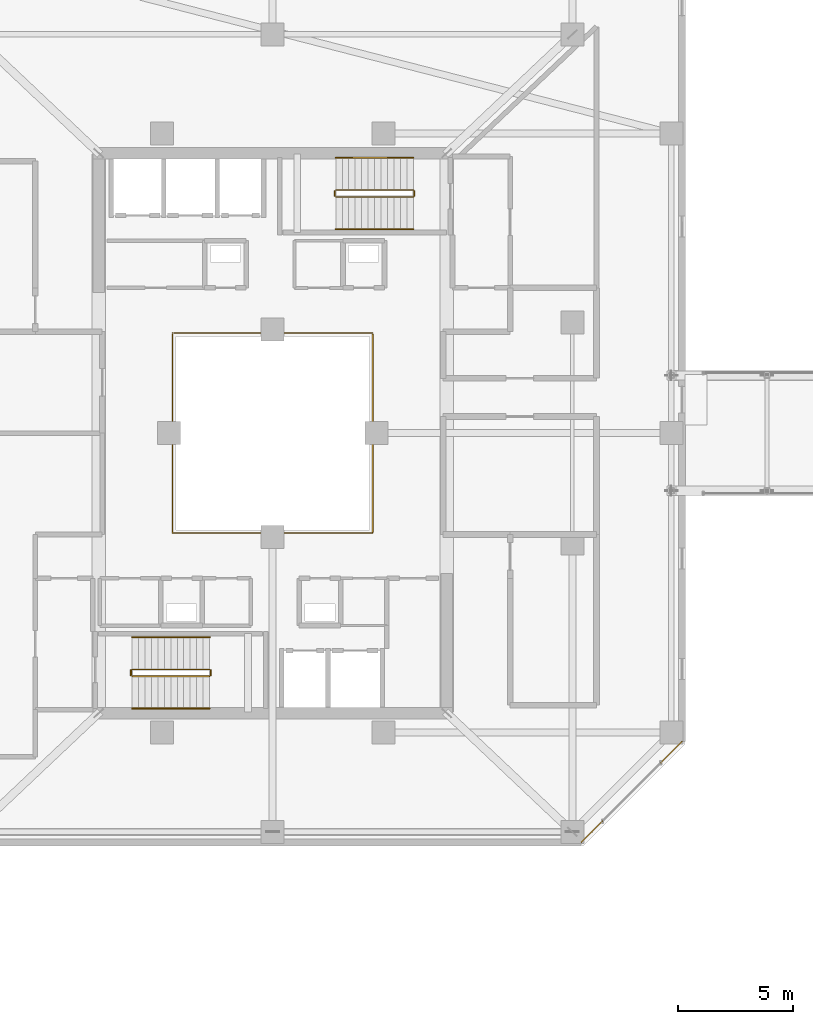
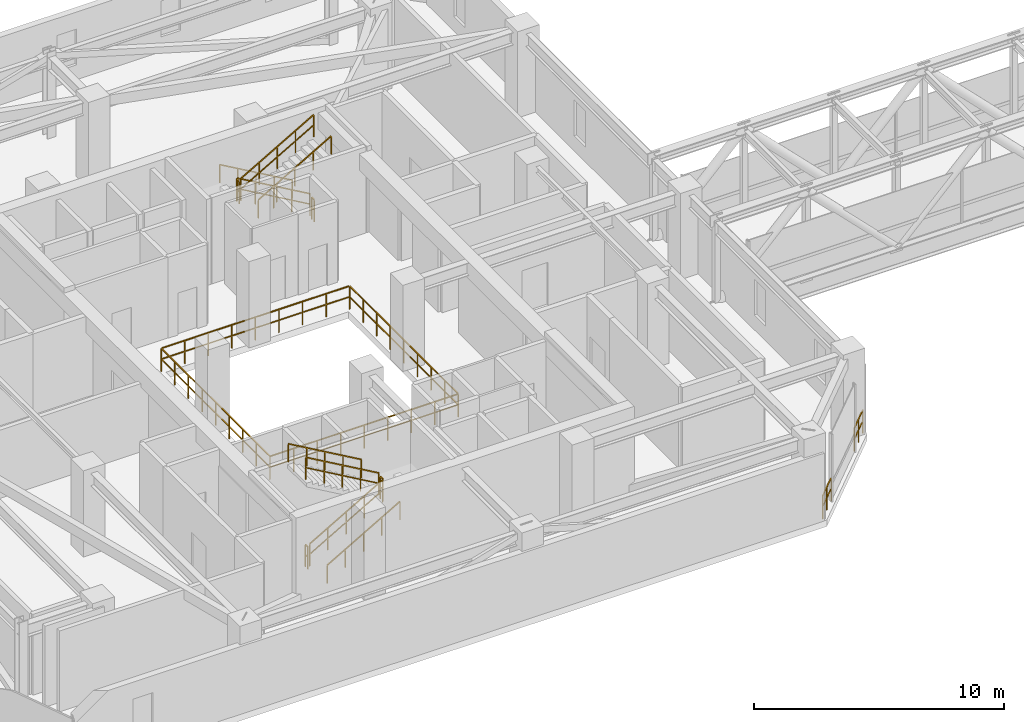
# One storey, part 41 of 42: 15 railings.
"""IFC4 building model written with IfcOpenShell, lengths in metres."""

from ifc_helpers import new_model, si_unit, direction, frame, origin, origin_2d, place, context, subcontext, project, spatial, rectangle, extrude, material, type_object, element, save


model = new_model("IFC4")

# Units and contexts
model_context = context("Model", 3, precision=1e-05, world=origin(), true_north=direction((0.0, 1.0)))
body_context = subcontext(model_context, "Body", "Model", "MODEL_VIEW")
ifc_project = project(units=[si_unit("LENGTHUNIT", "METRE"), si_unit("AREAUNIT", "SQUARE_METRE"), si_unit("VOLUMEUNIT", "CUBIC_METRE"), si_unit("PLANEANGLEUNIT", "RADIAN"), si_unit("MASSUNIT", "GRAM", prefix="KILO")], contexts=[model_context])

# Site, building, storey
site_placement = place(None, origin())
site = spatial("IfcSite", under=ifc_project, at=site_placement, CompositionType="ELEMENT")
building_placement = place(site_placement, origin())
building = spatial("IfcBuilding", under=site, at=building_placement, Name="Thornwick Lancets Civic Towers", CompositionType="ELEMENT")
storey_placement = place(building_placement, frame((0.0, 0.0, 221.699951171875)))
storey = spatial("IfcBuildingStorey", under=building, at=storey_placement, Name="L59", CompositionType="ELEMENT", Elevation=221.699951171875)

# Railings
ifc_material_1 = material(Name="Laminated glass and bronze steel S355", Category="steel")
railing_type_1 = type_object("IfcRailingType", Name="RAIL_ATRIUM_GUARD", PredefinedType="BALUSTRADE", material=ifc_material_1)
railing_1_placement = place(storey_placement, frame((21.159912109375, 22.659912109375, 0.0)))
element("IfcRailing", 1, at=railing_1_placement, inside=storey, type_object=railing_type_1, Name="L59 Tower A Central Atrium Guard Balustrade", PredefinedType="BALUSTRADE", context=body_context, shape_type="SweptSolid", body=[
    extrude(rectangle(XDim=0.048095703125, YDim=0.048095703125, at=origin_2d()), frame((0.0, 0.0, 1.1259765625), z_axis=(1.0, 0.0, 0.0), x_axis=(0.0, 1.0, 0.0)), (0.0, 0.0, 1.0), 8.64892578125),
    extrude(rectangle(XDim=0.0419921875, YDim=0.0419921875, at=origin_2d()), frame((0.03759765625, 0.0, 0.597900390625), z_axis=(1.0, 0.0, 0.0), x_axis=(0.0, 1.0, 0.0)), (0.0, 0.0, 1.0), 1.010009765625),
    extrude(rectangle(XDim=0.0419921875, YDim=0.0419921875, at=origin_2d()), frame((1.12255859375, 0.0, 0.597900390625), z_axis=(1.0, 0.0, 0.0), x_axis=(0.0, 1.0, 0.0)), (0.0, 0.0, 1.0), 1.010009765625),
    extrude(rectangle(XDim=0.0419921875, YDim=0.0419921875, at=origin_2d()), frame((2.20751953125, 0.0, 0.597900390625), z_axis=(1.0, 0.0, 0.0), x_axis=(0.0, 1.0, 0.0)), (0.0, 0.0, 1.0), 1.010009765625),
    extrude(rectangle(XDim=0.0419921875, YDim=0.0419921875, at=origin_2d()), frame((3.29248046875, 0.0, 0.597900390625), z_axis=(1.0, 0.0, 0.0), x_axis=(0.0, 1.0, 0.0)), (0.0, 0.0, 1.0), 1.010009765625),
    extrude(rectangle(XDim=0.0419921875, YDim=0.0419921875, at=origin_2d()), frame((4.377685546875, 0.0, 0.597900390625), z_axis=(1.0, 0.0, 0.0), x_axis=(0.0, 1.0, 0.0)), (0.0, 0.0, 1.0), 1.010009765625),
    extrude(rectangle(XDim=0.0419921875, YDim=0.0419921875, at=origin_2d()), frame((5.462646484375, 0.0, 0.597900390625), z_axis=(1.0, 0.0, 0.0), x_axis=(0.0, 1.0, 0.0)), (0.0, 0.0, 1.0), 1.010009765625),
    extrude(rectangle(XDim=0.0419921875, YDim=0.0419921875, at=origin_2d()), frame((6.547607421875, 0.0, 0.597900390625), z_axis=(1.0, 0.0, 0.0), x_axis=(0.0, 1.0, 0.0)), (0.0, 0.0, 1.0), 1.010009765625),
    extrude(rectangle(XDim=0.0419921875, YDim=0.0419921875, at=origin_2d()), frame((7.632568359375, 0.0, 0.597900390625), z_axis=(1.0, 0.0, 0.0), x_axis=(0.0, 1.0, 0.0)), (0.0, 0.0, 1.0), 1.010009765625),
    extrude(rectangle(XDim=0.048095703125, YDim=0.048095703125, at=origin_2d()), frame((8.68017578125, 0.03125, 1.1259765625), z_axis=(0.0, 1.0, 0.0), x_axis=(-1.0, 0.0, 0.0)), (0.0, 0.0, 1.0), 8.61767578125),
    extrude(rectangle(XDim=0.0419921875, YDim=0.0419921875, at=origin_2d()), frame((8.68017578125, 0.03759765625, 0.597900390625), z_axis=(0.0, 1.0, 0.0), x_axis=(-1.0, 0.0, 0.0)), (0.0, 0.0, 1.0), 1.010009765625),
    extrude(rectangle(XDim=0.0419921875, YDim=0.0419921875, at=origin_2d()), frame((8.68017578125, 1.12255859375, 0.597900390625), z_axis=(0.0, 1.0, 0.0), x_axis=(-1.0, 0.0, 0.0)), (0.0, 0.0, 1.0), 1.010009765625),
    extrude(rectangle(XDim=0.0419921875, YDim=0.0419921875, at=origin_2d()), frame((8.68017578125, 2.20751953125, 0.597900390625), z_axis=(0.0, 1.0, 0.0), x_axis=(-1.0, 0.0, 0.0)), (0.0, 0.0, 1.0), 1.010009765625),
    extrude(rectangle(XDim=0.0419921875, YDim=0.0419921875, at=origin_2d()), frame((8.68017578125, 3.29248046875, 0.597900390625), z_axis=(0.0, 1.0, 0.0), x_axis=(-1.0, 0.0, 0.0)), (0.0, 0.0, 1.0), 1.010009765625),
    extrude(rectangle(XDim=0.0419921875, YDim=0.0419921875, at=origin_2d()), frame((8.68017578125, 4.377685546875, 0.597900390625), z_axis=(0.0, 1.0, 0.0), x_axis=(-1.0, 0.0, 0.0)), (0.0, 0.0, 1.0), 1.010009765625),
    extrude(rectangle(XDim=0.0419921875, YDim=0.0419921875, at=origin_2d()), frame((8.68017578125, 5.462646484375, 0.597900390625), z_axis=(0.0, 1.0, 0.0), x_axis=(-1.0, 0.0, 0.0)), (0.0, 0.0, 1.0), 1.010009765625),
    extrude(rectangle(XDim=0.0419921875, YDim=0.0419921875, at=origin_2d()), frame((8.68017578125, 6.547607421875, 0.597900390625), z_axis=(0.0, 1.0, 0.0), x_axis=(-1.0, 0.0, 0.0)), (0.0, 0.0, 1.0), 1.010009765625),
    extrude(rectangle(XDim=0.0419921875, YDim=0.0419921875, at=origin_2d()), frame((8.68017578125, 7.632568359375, 0.597900390625), z_axis=(0.0, 1.0, 0.0), x_axis=(-1.0, 0.0, 0.0)), (0.0, 0.0, 1.0), 1.010009765625),
    extrude(rectangle(XDim=0.048095703125, YDim=0.048095703125, at=origin_2d()), frame((8.64892578125, 8.68017578125, 1.1259765625), z_axis=(-1.0, 0.0, 0.0), x_axis=(0.0, -1.0, 0.0)), (0.0, 0.0, 1.0), 8.61767578125),
    extrude(rectangle(XDim=0.0419921875, YDim=0.0419921875, at=origin_2d()), frame((8.642578125, 8.68017578125, 0.597900390625), z_axis=(-1.0, 0.0, 0.0), x_axis=(0.0, -1.0, 0.0)), (0.0, 0.0, 1.0), 1.010009765625),
    extrude(rectangle(XDim=0.0419921875, YDim=0.0419921875, at=origin_2d()), frame((7.5576171875, 8.68017578125, 0.597900390625), z_axis=(-1.0, 0.0, 0.0), x_axis=(0.0, -1.0, 0.0)), (0.0, 0.0, 1.0), 1.010009765625),
    extrude(rectangle(XDim=0.0419921875, YDim=0.0419921875, at=origin_2d()), frame((6.47265625, 8.68017578125, 0.597900390625), z_axis=(-1.0, 0.0, 0.0), x_axis=(0.0, -1.0, 0.0)), (0.0, 0.0, 1.0), 1.010009765625),
    extrude(rectangle(XDim=0.0419921875, YDim=0.0419921875, at=origin_2d()), frame((5.3876953125, 8.68017578125, 0.597900390625), z_axis=(-1.0, 0.0, 0.0), x_axis=(0.0, -1.0, 0.0)), (0.0, 0.0, 1.0), 1.010009765625),
    extrude(rectangle(XDim=0.0419921875, YDim=0.0419921875, at=origin_2d()), frame((4.302490234375, 8.68017578125, 0.597900390625), z_axis=(-1.0, 0.0, 0.0), x_axis=(0.0, -1.0, 0.0)), (0.0, 0.0, 1.0), 1.010009765625),
    extrude(rectangle(XDim=0.0419921875, YDim=0.0419921875, at=origin_2d()), frame((3.217529296875, 8.68017578125, 0.597900390625), z_axis=(-1.0, 0.0, 0.0), x_axis=(0.0, -1.0, 0.0)), (0.0, 0.0, 1.0), 1.010009765625),
    extrude(rectangle(XDim=0.0419921875, YDim=0.0419921875, at=origin_2d()), frame((2.132568359375, 8.68017578125, 0.597900390625), z_axis=(-1.0, 0.0, 0.0), x_axis=(0.0, -1.0, 0.0)), (0.0, 0.0, 1.0), 1.010009765625),
    extrude(rectangle(XDim=0.0419921875, YDim=0.0419921875, at=origin_2d()), frame((1.047607421875, 8.68017578125, 0.597900390625), z_axis=(-1.0, 0.0, 0.0), x_axis=(0.0, -1.0, 0.0)), (0.0, 0.0, 1.0), 1.010009765625),
    extrude(rectangle(XDim=0.048095703125, YDim=0.048095703125, at=origin_2d()), frame((0.0, 8.64892578125, 1.1259765625), z_axis=(0.0, -1.0, 0.0), x_axis=(1.0, 0.0, 0.0)), (0.0, 0.0, 1.0), 8.64892578125),
    extrude(rectangle(XDim=0.0419921875, YDim=0.0419921875, at=origin_2d()), frame((0.0, 8.642578125, 0.597900390625), z_axis=(0.0, -1.0, 0.0), x_axis=(1.0, 0.0, 0.0)), (0.0, 0.0, 1.0), 1.010009765625),
    extrude(rectangle(XDim=0.0419921875, YDim=0.0419921875, at=origin_2d()), frame((0.0, 7.5576171875, 0.597900390625), z_axis=(0.0, -1.0, 0.0), x_axis=(1.0, 0.0, 0.0)), (0.0, 0.0, 1.0), 1.010009765625),
    extrude(rectangle(XDim=0.0419921875, YDim=0.0419921875, at=origin_2d()), frame((0.0, 6.47265625, 0.597900390625), z_axis=(0.0, -1.0, 0.0), x_axis=(1.0, 0.0, 0.0)), (0.0, 0.0, 1.0), 1.010009765625),
    extrude(rectangle(XDim=0.0419921875, YDim=0.0419921875, at=origin_2d()), frame((0.0, 5.3876953125, 0.597900390625), z_axis=(0.0, -1.0, 0.0), x_axis=(1.0, 0.0, 0.0)), (0.0, 0.0, 1.0), 1.010009765625),
    extrude(rectangle(XDim=0.0419921875, YDim=0.0419921875, at=origin_2d()), frame((0.0, 4.302490234375, 0.597900390625), z_axis=(0.0, -1.0, 0.0), x_axis=(1.0, 0.0, 0.0)), (0.0, 0.0, 1.0), 1.010009765625),
    extrude(rectangle(XDim=0.0419921875, YDim=0.0419921875, at=origin_2d()), frame((0.0, 3.217529296875, 0.597900390625), z_axis=(0.0, -1.0, 0.0), x_axis=(1.0, 0.0, 0.0)), (0.0, 0.0, 1.0), 1.010009765625),
    extrude(rectangle(XDim=0.0419921875, YDim=0.0419921875, at=origin_2d()), frame((0.0, 2.132568359375, 0.597900390625), z_axis=(0.0, -1.0, 0.0), x_axis=(1.0, 0.0, 0.0)), (0.0, 0.0, 1.0), 1.010009765625),
    extrude(rectangle(XDim=0.0419921875, YDim=0.0419921875, at=origin_2d()), frame((0.0, 1.047607421875, 0.597900390625), z_axis=(0.0, -1.0, 0.0), x_axis=(1.0, 0.0, 0.0)), (0.0, 0.0, 1.0), 1.010009765625),
    extrude(rectangle(XDim=0.0419921875, YDim=0.0419921875, at=origin_2d()), origin(), (0.0, 0.0, 1.0), 1.095703125),
    extrude(rectangle(XDim=0.0419921875, YDim=0.0419921875, at=origin_2d()), frame((1.0849609375, 0.0, 0.0)), (0.0, 0.0, 1.0), 1.095703125),
    extrude(rectangle(XDim=0.0419921875, YDim=0.0419921875, at=origin_2d()), frame((2.169921875, 0.0, 0.0)), (0.0, 0.0, 1.0), 1.095703125),
    extrude(rectangle(XDim=0.0419921875, YDim=0.0419921875, at=origin_2d()), frame((3.255126953125, 0.0, 0.0)), (0.0, 0.0, 1.0), 1.095703125),
    extrude(rectangle(XDim=0.0419921875, YDim=0.0419921875, at=origin_2d()), frame((4.340087890625, 0.0, 0.0)), (0.0, 0.0, 1.0), 1.095703125),
    extrude(rectangle(XDim=0.0419921875, YDim=0.0419921875, at=origin_2d()), frame((5.425048828125, 0.0, 0.0)), (0.0, 0.0, 1.0), 1.095703125),
    extrude(rectangle(XDim=0.0419921875, YDim=0.0419921875, at=origin_2d()), frame((6.51025390625, 0.0, 0.0)), (0.0, 0.0, 1.0), 1.095703125),
    extrude(rectangle(XDim=0.0419921875, YDim=0.0419921875, at=origin_2d()), frame((7.59521484375, 0.0, 0.0)), (0.0, 0.0, 1.0), 1.095703125),
    extrude(rectangle(XDim=0.0419921875, YDim=0.0419921875, at=origin_2d()), frame((8.68017578125, 0.0, 0.0)), (0.0, 0.0, 1.0), 1.095703125),
    extrude(rectangle(XDim=0.0419921875, YDim=0.0419921875, at=origin_2d()), frame((8.68017578125, 1.0849609375, 0.0)), (0.0, 0.0, 1.0), 1.095703125),
    extrude(rectangle(XDim=0.0419921875, YDim=0.0419921875, at=origin_2d()), frame((8.68017578125, 2.169921875, 0.0)), (0.0, 0.0, 1.0), 1.095703125),
    extrude(rectangle(XDim=0.0419921875, YDim=0.0419921875, at=origin_2d()), frame((8.68017578125, 3.255126953125, 0.0)), (0.0, 0.0, 1.0), 1.095703125),
    extrude(rectangle(XDim=0.0419921875, YDim=0.0419921875, at=origin_2d()), frame((8.68017578125, 4.340087890625, 0.0)), (0.0, 0.0, 1.0), 1.095703125),
    extrude(rectangle(XDim=0.0419921875, YDim=0.0419921875, at=origin_2d()), frame((8.68017578125, 5.425048828125, 0.0)), (0.0, 0.0, 1.0), 1.095703125),
    extrude(rectangle(XDim=0.0419921875, YDim=0.0419921875, at=origin_2d()), frame((8.68017578125, 6.51025390625, 0.0)), (0.0, 0.0, 1.0), 1.095703125),
    extrude(rectangle(XDim=0.0419921875, YDim=0.0419921875, at=origin_2d()), frame((8.68017578125, 7.59521484375, 0.0)), (0.0, 0.0, 1.0), 1.095703125),
    extrude(rectangle(XDim=0.0419921875, YDim=0.0419921875, at=origin_2d()), frame((8.68017578125, 8.68017578125, 0.0)), (0.0, 0.0, 1.0), 1.095703125),
    extrude(rectangle(XDim=0.0419921875, YDim=0.0419921875, at=origin_2d()), frame((7.59521484375, 8.68017578125, 0.0)), (0.0, 0.0, 1.0), 1.095703125),
    extrude(rectangle(XDim=0.0419921875, YDim=0.0419921875, at=origin_2d()), frame((6.51025390625, 8.68017578125, 0.0)), (0.0, 0.0, 1.0), 1.095703125),
    extrude(rectangle(XDim=0.0419921875, YDim=0.0419921875, at=origin_2d()), frame((5.425048828125, 8.68017578125, 0.0)), (0.0, 0.0, 1.0), 1.095703125),
    extrude(rectangle(XDim=0.0419921875, YDim=0.0419921875, at=origin_2d()), frame((4.340087890625, 8.68017578125, 0.0)), (0.0, 0.0, 1.0), 1.095703125),
    extrude(rectangle(XDim=0.0419921875, YDim=0.0419921875, at=origin_2d()), frame((3.255126953125, 8.68017578125, 0.0)), (0.0, 0.0, 1.0), 1.095703125),
    extrude(rectangle(XDim=0.0419921875, YDim=0.0419921875, at=origin_2d()), frame((2.169921875, 8.68017578125, 0.0)), (0.0, 0.0, 1.0), 1.095703125),
    extrude(rectangle(XDim=0.0419921875, YDim=0.0419921875, at=origin_2d()), frame((1.0849609375, 8.68017578125, 0.0)), (0.0, 0.0, 1.0), 1.095703125),
    extrude(rectangle(XDim=0.0419921875, YDim=0.0419921875, at=origin_2d()), frame((0.0, 8.68017578125, 0.0)), (0.0, 0.0, 1.0), 1.095703125),
    extrude(rectangle(XDim=0.0419921875, YDim=0.0419921875, at=origin_2d()), frame((0.0, 7.59521484375, 0.0)), (0.0, 0.0, 1.0), 1.095703125),
    extrude(rectangle(XDim=0.0419921875, YDim=0.0419921875, at=origin_2d()), frame((0.0, 6.51025390625, 0.0)), (0.0, 0.0, 1.0), 1.095703125),
    extrude(rectangle(XDim=0.0419921875, YDim=0.0419921875, at=origin_2d()), frame((0.0, 5.425048828125, 0.0)), (0.0, 0.0, 1.0), 1.095703125),
    extrude(rectangle(XDim=0.0419921875, YDim=0.0419921875, at=origin_2d()), frame((0.0, 4.340087890625, 0.0)), (0.0, 0.0, 1.0), 1.095703125),
    extrude(rectangle(XDim=0.0419921875, YDim=0.0419921875, at=origin_2d()), frame((0.0, 3.255126953125, 0.0)), (0.0, 0.0, 1.0), 1.095703125),
    extrude(rectangle(XDim=0.0419921875, YDim=0.0419921875, at=origin_2d()), frame((0.0, 2.169921875, 0.0)), (0.0, 0.0, 1.0), 1.095703125),
    extrude(rectangle(XDim=0.0419921875, YDim=0.0419921875, at=origin_2d()), frame((0.0, 1.0849609375, 0.0)), (0.0, 0.0, 1.0), 1.095703125),
])
ifc_material_2 = material(Name="Brushed stainless steel S355", Category="steel")
railing_type_2 = type_object("IfcRailingType", Name="RAIL_HANDRAIL", PredefinedType="HANDRAIL", material=ifc_material_2)
railing_2_placement = place(storey_placement, frame((19.39990234375, 15.050048828125, 0.16162109375)))
element("IfcRailing", 2, at=railing_2_placement, inside=storey, type_object=railing_type_2, Name="L59 ST-A1 stair handrail 1", PredefinedType="HANDRAIL", context=body_context, shape_type="SweptSolid", body=[
    extrude(rectangle(XDim=0.048095703125, YDim=0.048095703125, at=origin_2d()), frame((0.0, 0.0, 0.8857421875), z_axis=(0.866190824863, 0.0, 0.499713372768), x_axis=(0.0, 1.0, 0.0)), (0.0, 0.0, 1.0), 3.879150390625),
    extrude(rectangle(XDim=0.0419921875, YDim=0.0419921875, at=origin_2d()), origin(), (0.0, 0.0, 1.0), 0.855712890625),
    extrude(rectangle(XDim=0.0419921875, YDim=0.0419921875, at=origin_2d()), frame((0.840087890625, 0.0, 0.484619140625)), (0.0, 0.0, 1.0), 0.855712890625),
    extrude(rectangle(XDim=0.0419921875, YDim=0.0419921875, at=origin_2d()), frame((1.68017578125, 0.0, 0.96923828125)), (0.0, 0.0, 1.0), 0.855712890625),
    extrude(rectangle(XDim=0.0419921875, YDim=0.0419921875, at=origin_2d()), frame((2.52001953125, 0.0, 1.453857421875)), (0.0, 0.0, 1.0), 0.855712890625),
    extrude(rectangle(XDim=0.0419921875, YDim=0.0419921875, at=origin_2d()), frame((3.360107421875, 0.0, 1.9384765625)), (0.0, 0.0, 1.0), 0.855712890625),
])
for number, where, name in (
    (3, (22.760009765625, 18.14990234375, 2.261474609375), "L59 ST-A1 stair handrail 2"),
    (4, (31.60009765625, 38.949951171875, 0.16162109375), "L59 ST-A2 stair handrail 1"),
):
    element("IfcRailing", number, at=place(storey_placement, frame(where)), inside=storey, type_object=railing_type_2, Name=name, PredefinedType="HANDRAIL", context=body_context, shape_type="SweptSolid", body=[
        extrude(rectangle(XDim=0.048095703125, YDim=0.048095703125, at=origin_2d()), frame((0.0, 0.0, 0.8857421875), z_axis=(-0.866190824863, 0.0, 0.499713372768), x_axis=(0.0, -1.0, 0.0)), (0.0, 0.0, 1.0), 3.879150390625),
        extrude(rectangle(XDim=0.0419921875, YDim=0.0419921875, at=origin_2d()), origin(), (0.0, 0.0, 1.0), 0.855712890625),
        extrude(rectangle(XDim=0.0419921875, YDim=0.0419921875, at=origin_2d()), frame((-0.840087890625, 0.0, 0.484619140625)), (0.0, 0.0, 1.0), 0.855712890625),
        extrude(rectangle(XDim=0.0419921875, YDim=0.0419921875, at=origin_2d()), frame((-1.68017578125, 0.0, 0.96923828125)), (0.0, 0.0, 1.0), 0.855712890625),
        extrude(rectangle(XDim=0.0419921875, YDim=0.0419921875, at=origin_2d()), frame((-2.52001953125, 0.0, 1.453857421875)), (0.0, 0.0, 1.0), 0.855712890625),
        extrude(rectangle(XDim=0.0419921875, YDim=0.0419921875, at=origin_2d()), frame((-3.360107421875, 0.0, 1.9384765625)), (0.0, 0.0, 1.0), 0.855712890625),
    ])
railing_3_placement = place(storey_placement, frame((28.239990234375, 35.85009765625, 2.261474609375)))
element("IfcRailing", 5, at=railing_3_placement, inside=storey, type_object=railing_type_2, Name="L59 ST-A2 stair handrail 2", PredefinedType="HANDRAIL", context=body_context, shape_type="SweptSolid", body=[
    extrude(rectangle(XDim=0.048095703125, YDim=0.048095703125, at=origin_2d()), frame((0.0, 0.0, 0.8857421875), z_axis=(0.866190824863, 0.0, 0.499713372768), x_axis=(0.0, 1.0, 0.0)), (0.0, 0.0, 1.0), 3.879150390625),
    extrude(rectangle(XDim=0.0419921875, YDim=0.0419921875, at=origin_2d()), origin(), (0.0, 0.0, 1.0), 0.855712890625),
    extrude(rectangle(XDim=0.0419921875, YDim=0.0419921875, at=origin_2d()), frame((0.840087890625, 0.0, 0.484619140625)), (0.0, 0.0, 1.0), 0.855712890625),
    extrude(rectangle(XDim=0.0419921875, YDim=0.0419921875, at=origin_2d()), frame((1.68017578125, 0.0, 0.96923828125)), (0.0, 0.0, 1.0), 0.855712890625),
    extrude(rectangle(XDim=0.0419921875, YDim=0.0419921875, at=origin_2d()), frame((2.52001953125, 0.0, 1.453857421875)), (0.0, 0.0, 1.0), 0.855712890625),
    extrude(rectangle(XDim=0.0419921875, YDim=0.0419921875, at=origin_2d()), frame((3.360107421875, 0.0, 1.9384765625)), (0.0, 0.0, 1.0), 0.855712890625),
])
ifc_material_3 = material(Name="Steel S355JR", Category="steel")
railing_type_3 = type_object("IfcRailingType", Name="RAIL_STAIR_GUARD", PredefinedType="GUARDRAIL", material=ifc_material_3)
railing_4_placement = place(storey_placement, frame((19.39990234375, 16.449951171875, 0.16162109375)))
element("IfcRailing", 6, at=railing_4_placement, inside=storey, type_object=railing_type_3, Name="L59 ST-A1 stair guard 1", PredefinedType="GUARDRAIL", context=body_context, shape_type="SweptSolid", body=[
    extrude(rectangle(XDim=0.048095703125, YDim=0.048095703125, at=origin_2d()), frame((0.0, 0.0, 1.076171875), z_axis=(0.866190824863, 0.0, 0.499713372768), x_axis=(0.0, 1.0, 0.0)), (0.0, 0.0, 1.0), 3.879150390625),
    extrude(rectangle(XDim=0.0419921875, YDim=0.0419921875, at=origin_2d()), frame((0.032470703125, 0.0, 0.5908203125), z_axis=(0.866190824863, 0.0, 0.499713372768), x_axis=(0.0, 1.0, 0.0)), (0.0, 0.0, 1.0), 0.894775390625),
    extrude(rectangle(XDim=0.0419921875, YDim=0.0419921875, at=origin_2d()), frame((0.87255859375, 0.0, 1.075439453125), z_axis=(0.866190824863, 0.0, 0.499713372768), x_axis=(0.0, 1.0, 0.0)), (0.0, 0.0, 1.0), 0.894775390625),
    extrude(rectangle(XDim=0.0419921875, YDim=0.0419921875, at=origin_2d()), frame((1.712646484375, 0.0, 1.56005859375), z_axis=(0.866190824863, 0.0, 0.499713372768), x_axis=(0.0, 1.0, 0.0)), (0.0, 0.0, 1.0), 0.894775390625),
    extrude(rectangle(XDim=0.0419921875, YDim=0.0419921875, at=origin_2d()), frame((2.552490234375, 0.0, 2.044677734375), z_axis=(0.866190824863, 0.0, 0.499713372768), x_axis=(0.0, 1.0, 0.0)), (0.0, 0.0, 1.0), 0.894775390625),
    extrude(rectangle(XDim=0.0419921875, YDim=0.0419921875, at=origin_2d()), origin(), (0.0, 0.0, 1.0), 1.0458984375),
    extrude(rectangle(XDim=0.0419921875, YDim=0.0419921875, at=origin_2d()), frame((0.840087890625, 0.0, 0.484619140625)), (0.0, 0.0, 1.0), 1.0458984375),
    extrude(rectangle(XDim=0.0419921875, YDim=0.0419921875, at=origin_2d()), frame((1.68017578125, 0.0, 0.96923828125)), (0.0, 0.0, 1.0), 1.0458984375),
    extrude(rectangle(XDim=0.0419921875, YDim=0.0419921875, at=origin_2d()), frame((2.52001953125, 0.0, 1.453857421875)), (0.0, 0.0, 1.0), 1.0458984375),
    extrude(rectangle(XDim=0.0419921875, YDim=0.0419921875, at=origin_2d()), frame((3.360107421875, 0.0, 1.9384765625)), (0.0, 0.0, 1.0), 1.0458984375),
])
railing_5_placement = place(storey_placement, frame((22.81005859375, 16.5, 2.10009765625)))
element("IfcRailing", 7, at=railing_5_placement, inside=storey, type_object=railing_type_3, Name="L59 ST-A1 stair guard 2", PredefinedType="GUARDRAIL", context=body_context, shape_type="SweptSolid", body=[
    extrude(rectangle(XDim=0.048095703125, YDim=0.048095703125, at=origin_2d()), frame((0.0, 0.0, 1.076171875), z_axis=(0.0, 1.0, 0.0), x_axis=(-1.0, 0.0, 0.0)), (0.0, 0.0, 1.0), 0.199951171875),
    extrude(rectangle(XDim=0.0419921875, YDim=0.0419921875, at=origin_2d()), frame((0.0, 0.03759765625, 0.572021484375), z_axis=(0.0, 1.0, 0.0), x_axis=(-1.0, 0.0, 0.0)), (0.0, 0.0, 1.0), 0.125),
    extrude(rectangle(XDim=0.0419921875, YDim=0.0419921875, at=origin_2d()), origin(), (0.0, 0.0, 1.0), 1.0458984375),
    extrude(rectangle(XDim=0.0419921875, YDim=0.0419921875, at=origin_2d()), frame((0.0, 0.199951171875, 0.0)), (0.0, 0.0, 1.0), 1.0458984375),
])
railing_6_placement = place(storey_placement, frame((22.760009765625, 16.75, 2.261474609375)))
element("IfcRailing", 8, at=railing_6_placement, inside=storey, type_object=railing_type_3, Name="L59 ST-A1 stair guard 3", PredefinedType="GUARDRAIL", context=body_context, shape_type="SweptSolid", body=[
    extrude(rectangle(XDim=0.048095703125, YDim=0.048095703125, at=origin_2d()), frame((0.0, 0.0, 1.076171875), z_axis=(-0.866190824863, 0.0, 0.499713372768), x_axis=(0.0, -1.0, 0.0)), (0.0, 0.0, 1.0), 3.879150390625),
    extrude(rectangle(XDim=0.0419921875, YDim=0.0419921875, at=origin_2d()), frame((-0.032470703125, 0.0, 0.5908203125), z_axis=(-0.866190824863, 0.0, 0.499713372768), x_axis=(0.0, -1.0, 0.0)), (0.0, 0.0, 1.0), 0.894775390625),
    extrude(rectangle(XDim=0.0419921875, YDim=0.0419921875, at=origin_2d()), frame((-0.87255859375, 0.0, 1.075439453125), z_axis=(-0.866190824863, 0.0, 0.499713372768), x_axis=(0.0, -1.0, 0.0)), (0.0, 0.0, 1.0), 0.894775390625),
    extrude(rectangle(XDim=0.0419921875, YDim=0.0419921875, at=origin_2d()), frame((-1.712646484375, 0.0, 1.56005859375), z_axis=(-0.866190824863, 0.0, 0.499713372768), x_axis=(0.0, -1.0, 0.0)), (0.0, 0.0, 1.0), 0.894775390625),
    extrude(rectangle(XDim=0.0419921875, YDim=0.0419921875, at=origin_2d()), frame((-2.552490234375, 0.0, 2.044677734375), z_axis=(-0.866190824863, 0.0, 0.499713372768), x_axis=(0.0, -1.0, 0.0)), (0.0, 0.0, 1.0), 0.894775390625),
    extrude(rectangle(XDim=0.0419921875, YDim=0.0419921875, at=origin_2d()), origin(), (0.0, 0.0, 1.0), 1.0458984375),
    extrude(rectangle(XDim=0.0419921875, YDim=0.0419921875, at=origin_2d()), frame((-0.840087890625, 0.0, 0.484619140625)), (0.0, 0.0, 1.0), 1.0458984375),
    extrude(rectangle(XDim=0.0419921875, YDim=0.0419921875, at=origin_2d()), frame((-1.68017578125, 0.0, 0.96923828125)), (0.0, 0.0, 1.0), 1.0458984375),
    extrude(rectangle(XDim=0.0419921875, YDim=0.0419921875, at=origin_2d()), frame((-2.52001953125, 0.0, 1.453857421875)), (0.0, 0.0, 1.0), 1.0458984375),
    extrude(rectangle(XDim=0.0419921875, YDim=0.0419921875, at=origin_2d()), frame((-3.360107421875, 0.0, 1.9384765625)), (0.0, 0.0, 1.0), 1.0458984375),
])
railing_7_placement = place(storey_placement, frame((19.35009765625, 16.5, 0.0)))
element("IfcRailing", 9, at=railing_7_placement, inside=storey, type_object=railing_type_3, Name="L59 ST-A1 stair guard 4", PredefinedType="GUARDRAIL", context=body_context, shape_type="SweptSolid", body=[
    extrude(rectangle(XDim=0.048095703125, YDim=0.048095703125, at=origin_2d()), frame((0.0, 0.0, 1.076171875), z_axis=(0.0, 1.0, 0.0), x_axis=(-1.0, 0.0, 0.0)), (0.0, 0.0, 1.0), 0.199951171875),
    extrude(rectangle(XDim=0.0419921875, YDim=0.0419921875, at=origin_2d()), frame((0.0, 0.03759765625, 0.572021484375), z_axis=(0.0, 1.0, 0.0), x_axis=(-1.0, 0.0, 0.0)), (0.0, 0.0, 1.0), 0.125),
    extrude(rectangle(XDim=0.0419921875, YDim=0.0419921875, at=origin_2d()), origin(), (0.0, 0.0, 1.0), 1.0458984375),
    extrude(rectangle(XDim=0.0419921875, YDim=0.0419921875, at=origin_2d()), frame((0.0, 0.199951171875, 0.0)), (0.0, 0.0, 1.0), 1.0458984375),
])
railing_8_placement = place(storey_placement, frame((31.60009765625, 37.550048828125, 0.16162109375)))
element("IfcRailing", 10, at=railing_8_placement, inside=storey, type_object=railing_type_3, Name="L59 ST-A2 stair guard 1", PredefinedType="GUARDRAIL", context=body_context, shape_type="SweptSolid", body=[
    extrude(rectangle(XDim=0.048095703125, YDim=0.048095703125, at=origin_2d()), frame((0.0, 0.0, 1.076171875), z_axis=(-0.866190824863, 0.0, 0.499713372768), x_axis=(0.0, -1.0, 0.0)), (0.0, 0.0, 1.0), 3.879150390625),
    extrude(rectangle(XDim=0.0419921875, YDim=0.0419921875, at=origin_2d()), frame((-0.032470703125, 0.0, 0.5908203125), z_axis=(-0.866190824863, 0.0, 0.499713372768), x_axis=(0.0, -1.0, 0.0)), (0.0, 0.0, 1.0), 0.894775390625),
    extrude(rectangle(XDim=0.0419921875, YDim=0.0419921875, at=origin_2d()), frame((-0.87255859375, 0.0, 1.075439453125), z_axis=(-0.866190824863, 0.0, 0.499713372768), x_axis=(0.0, -1.0, 0.0)), (0.0, 0.0, 1.0), 0.894775390625),
    extrude(rectangle(XDim=0.0419921875, YDim=0.0419921875, at=origin_2d()), frame((-1.712646484375, 0.0, 1.56005859375), z_axis=(-0.866190824863, 0.0, 0.499713372768), x_axis=(0.0, -1.0, 0.0)), (0.0, 0.0, 1.0), 0.894775390625),
    extrude(rectangle(XDim=0.0419921875, YDim=0.0419921875, at=origin_2d()), frame((-2.552490234375, 0.0, 2.044677734375), z_axis=(-0.866190824863, 0.0, 0.499713372768), x_axis=(0.0, -1.0, 0.0)), (0.0, 0.0, 1.0), 0.894775390625),
    extrude(rectangle(XDim=0.0419921875, YDim=0.0419921875, at=origin_2d()), origin(), (0.0, 0.0, 1.0), 1.0458984375),
    extrude(rectangle(XDim=0.0419921875, YDim=0.0419921875, at=origin_2d()), frame((-0.840087890625, 0.0, 0.484619140625)), (0.0, 0.0, 1.0), 1.0458984375),
    extrude(rectangle(XDim=0.0419921875, YDim=0.0419921875, at=origin_2d()), frame((-1.68017578125, 0.0, 0.96923828125)), (0.0, 0.0, 1.0), 1.0458984375),
    extrude(rectangle(XDim=0.0419921875, YDim=0.0419921875, at=origin_2d()), frame((-2.52001953125, 0.0, 1.453857421875)), (0.0, 0.0, 1.0), 1.0458984375),
    extrude(rectangle(XDim=0.0419921875, YDim=0.0419921875, at=origin_2d()), frame((-3.360107421875, 0.0, 1.9384765625)), (0.0, 0.0, 1.0), 1.0458984375),
])
railing_9_placement = place(storey_placement, frame((28.18994140625, 37.5, 2.10009765625)))
element("IfcRailing", 11, at=railing_9_placement, inside=storey, type_object=railing_type_3, Name="L59 ST-A2 stair guard 2", PredefinedType="GUARDRAIL", context=body_context, shape_type="SweptSolid", body=[
    extrude(rectangle(XDim=0.048095703125, YDim=0.048095703125, at=origin_2d()), frame((0.0, 0.0, 1.076171875), z_axis=(0.0, -1.0, 0.0), x_axis=(1.0, 0.0, 0.0)), (0.0, 0.0, 1.0), 0.199951171875),
    extrude(rectangle(XDim=0.0419921875, YDim=0.0419921875, at=origin_2d()), frame((0.0, -0.03759765625, 0.572021484375), z_axis=(0.0, -1.0, 0.0), x_axis=(1.0, 0.0, 0.0)), (0.0, 0.0, 1.0), 0.125),
    extrude(rectangle(XDim=0.0419921875, YDim=0.0419921875, at=origin_2d()), origin(), (0.0, 0.0, 1.0), 1.0458984375),
    extrude(rectangle(XDim=0.0419921875, YDim=0.0419921875, at=origin_2d()), frame((0.0, -0.199951171875, 0.0)), (0.0, 0.0, 1.0), 1.0458984375),
])
railing_10_placement = place(storey_placement, frame((28.239990234375, 37.25, 2.261474609375)))
element("IfcRailing", 12, at=railing_10_placement, inside=storey, type_object=railing_type_3, Name="L59 ST-A2 stair guard 3", PredefinedType="GUARDRAIL", context=body_context, shape_type="SweptSolid", body=[
    extrude(rectangle(XDim=0.048095703125, YDim=0.048095703125, at=origin_2d()), frame((0.0, 0.0, 1.076171875), z_axis=(0.866190824863, 0.0, 0.499713372768), x_axis=(0.0, 1.0, 0.0)), (0.0, 0.0, 1.0), 3.879150390625),
    extrude(rectangle(XDim=0.0419921875, YDim=0.0419921875, at=origin_2d()), frame((0.032470703125, 0.0, 0.5908203125), z_axis=(0.866190824863, 0.0, 0.499713372768), x_axis=(0.0, 1.0, 0.0)), (0.0, 0.0, 1.0), 0.894775390625),
    extrude(rectangle(XDim=0.0419921875, YDim=0.0419921875, at=origin_2d()), frame((0.87255859375, 0.0, 1.075439453125), z_axis=(0.866190824863, 0.0, 0.499713372768), x_axis=(0.0, 1.0, 0.0)), (0.0, 0.0, 1.0), 0.894775390625),
    extrude(rectangle(XDim=0.0419921875, YDim=0.0419921875, at=origin_2d()), frame((1.712646484375, 0.0, 1.56005859375), z_axis=(0.866190824863, 0.0, 0.499713372768), x_axis=(0.0, 1.0, 0.0)), (0.0, 0.0, 1.0), 0.894775390625),
    extrude(rectangle(XDim=0.0419921875, YDim=0.0419921875, at=origin_2d()), frame((2.552490234375, 0.0, 2.044677734375), z_axis=(0.866190824863, 0.0, 0.499713372768), x_axis=(0.0, 1.0, 0.0)), (0.0, 0.0, 1.0), 0.894775390625),
    extrude(rectangle(XDim=0.0419921875, YDim=0.0419921875, at=origin_2d()), origin(), (0.0, 0.0, 1.0), 1.0458984375),
    extrude(rectangle(XDim=0.0419921875, YDim=0.0419921875, at=origin_2d()), frame((0.840087890625, 0.0, 0.484619140625)), (0.0, 0.0, 1.0), 1.0458984375),
    extrude(rectangle(XDim=0.0419921875, YDim=0.0419921875, at=origin_2d()), frame((1.68017578125, 0.0, 0.96923828125)), (0.0, 0.0, 1.0), 1.0458984375),
    extrude(rectangle(XDim=0.0419921875, YDim=0.0419921875, at=origin_2d()), frame((2.52001953125, 0.0, 1.453857421875)), (0.0, 0.0, 1.0), 1.0458984375),
    extrude(rectangle(XDim=0.0419921875, YDim=0.0419921875, at=origin_2d()), frame((3.360107421875, 0.0, 1.9384765625)), (0.0, 0.0, 1.0), 1.0458984375),
])
railing_11_placement = place(storey_placement, frame((31.64990234375, 37.5, 0.0)))
element("IfcRailing", 13, at=railing_11_placement, inside=storey, type_object=railing_type_3, Name="L59 ST-A2 stair guard 4", PredefinedType="GUARDRAIL", context=body_context, shape_type="SweptSolid", body=[
    extrude(rectangle(XDim=0.048095703125, YDim=0.048095703125, at=origin_2d()), frame((0.0, 0.0, 1.076171875), z_axis=(0.0, -1.0, 0.0), x_axis=(1.0, 0.0, 0.0)), (0.0, 0.0, 1.0), 0.199951171875),
    extrude(rectangle(XDim=0.0419921875, YDim=0.0419921875, at=origin_2d()), frame((0.0, -0.03759765625, 0.572021484375), z_axis=(0.0, -1.0, 0.0), x_axis=(1.0, 0.0, 0.0)), (0.0, 0.0, 1.0), 0.125),
    extrude(rectangle(XDim=0.0419921875, YDim=0.0419921875, at=origin_2d()), origin(), (0.0, 0.0, 1.0), 1.0458984375),
    extrude(rectangle(XDim=0.0419921875, YDim=0.0419921875, at=origin_2d()), frame((0.0, -0.199951171875, 0.0)), (0.0, 0.0, 1.0), 1.0458984375),
])
ifc_material_4 = material(Name="Terracotta-capped laminated glass balustrade S355", Category="masonry")
railing_type_4 = type_object("IfcRailingType", Name="RAIL_TERR_GUARD", PredefinedType="GUARDRAIL", material=ifc_material_4)
for number, where, name in (
    (14, (38.888427734375, 9.2412109375, 0.0), "L59 Tower A Chamfer Spandrel Guard E1-1"),
    (15, (42.339599609375, 12.6923828125, 0.0), "L59 Tower A Chamfer Spandrel Guard E1-2"),
):
    element("IfcRailing", number, at=place(storey_placement, frame(where)), inside=storey, type_object=railing_type_4, Name=name, PredefinedType="GUARDRAIL", context=body_context, shape_type="SweptSolid", body=[
        extrude(rectangle(XDim=0.048095703125, YDim=0.048095703125, at=origin_2d()), frame((0.0, 0.0, 1.1259765625), z_axis=(0.707106781187, 0.707106781187, 0.0), x_axis=(-0.707106781187, 0.707106781187, 0.0)), (0.0, 0.0, 1.0), 1.300048828125),
        extrude(rectangle(XDim=0.0419921875, YDim=0.0419921875, at=origin_2d()), frame((0.026611328125, 0.026611328125, 0.597900390625), z_axis=(0.707106781187, 0.707106781187, 0.0), x_axis=(-0.707106781187, 0.707106781187, 0.0)), (0.0, 0.0, 1.0), 0.574951171875),
        extrude(rectangle(XDim=0.0419921875, YDim=0.0419921875, at=origin_2d()), frame((0.486083984375, 0.486083984375, 0.597900390625), z_axis=(0.707106781187, 0.707106781187, 0.0), x_axis=(-0.707106781187, 0.707106781187, 0.0)), (0.0, 0.0, 1.0), 0.574951171875),
        extrude(rectangle(XDim=0.0419921875, YDim=0.0419921875, at=origin_2d()), origin(), (0.0, 0.0, 1.0), 1.095703125),
        extrude(rectangle(XDim=0.0419921875, YDim=0.0419921875, at=origin_2d()), frame((0.45947265625, 0.45947265625, 0.0)), (0.0, 0.0, 1.0), 1.095703125),
        extrude(rectangle(XDim=0.0419921875, YDim=0.0419921875, at=origin_2d()), frame((0.919189453125, 0.919189453125, 0.0)), (0.0, 0.0, 1.0), 1.095703125),
    ])

save(model, "model.ifc")
